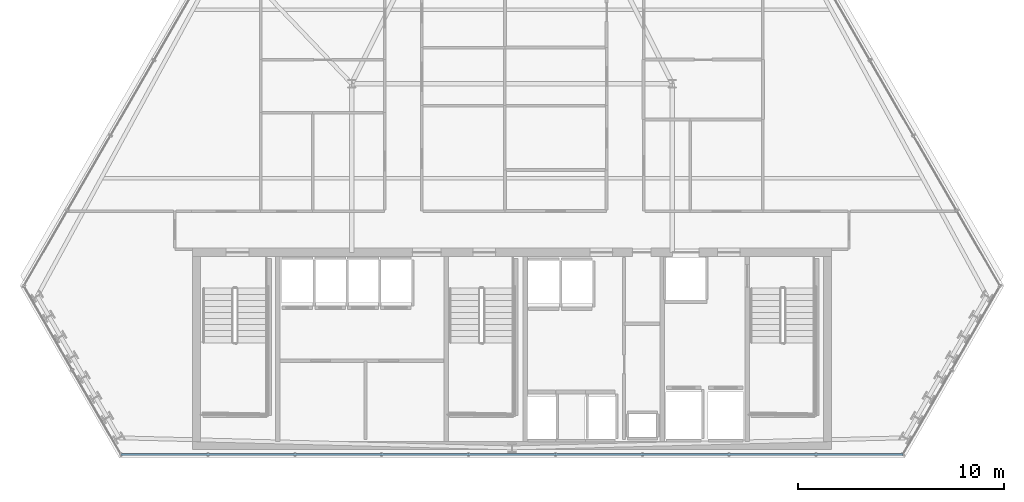
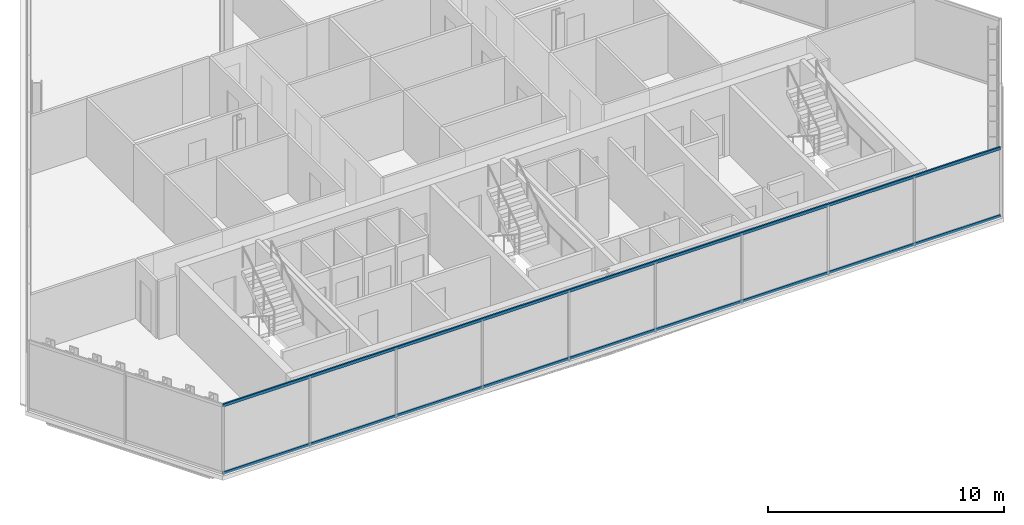
# One storey, part 7 of 33: 2 members, 1 element without a shape of its own.
"""IFC4 building model written with IfcOpenShell, lengths in metres."""

from ifc_helpers import new_model, si_unit, direction, frame, origin, origin_2d, place, context, subcontext, project, spatial, hollow_rectangle, extrude, material, layer, layer_set, material_profile, profile_set, type_object, element, aggregate, save


model = new_model("IFC4")

# Units and contexts
model_context = context("Model", 3, precision=1e-05, world=origin(), true_north=direction((0.0, 1.0)))
body_context = subcontext(model_context, "Body", "Model", "MODEL_VIEW")
ifc_project = project(units=[si_unit("LENGTHUNIT", "METRE"), si_unit("AREAUNIT", "SQUARE_METRE"), si_unit("VOLUMEUNIT", "CUBIC_METRE"), si_unit("PLANEANGLEUNIT", "RADIAN"), si_unit("MASSUNIT", "GRAM", prefix="KILO")], contexts=[model_context])

# Site, building, storey
site_placement = place(None, origin())
site = spatial("IfcSite", under=ifc_project, at=site_placement, CompositionType="ELEMENT")
building_placement = place(site_placement, origin())
building = spatial("IfcBuilding", under=site, at=building_placement, Name="Ndaravel Arena Tower", CompositionType="ELEMENT")
storey_placement = place(building_placement, frame((0.0, 0.0, 184.0)))
storey = spatial("IfcBuildingStorey", under=building, at=storey_placement, Name="L44", CompositionType="ELEMENT", Elevation=184.0)

# Curtain wall, members
ifc_material_1 = material(Name="Aluminium", Category="aluminium")
ifc_layer = layer(ifc_material_1, 0.179931640625)
ifc_layer_set = layer_set([ifc_layer], Name="Aluminium")
curtain_wall_type = type_object("IfcCurtainWallType", Name="CW-SYS-03", PredefinedType="NOTDEFINED", material=ifc_layer_set)
curtain_wall_placement = place(storey_placement, origin())
curtain_wall = element("IfcCurtainWall", 1, at=curtain_wall_placement, inside=storey, type_object=curtain_wall_type, Name="L44 Faceted Crystal Curtain Wall CW-L44-E01", PredefinedType="NOTDEFINED")
ifc_material_2 = material(Name="Aluminium", Category="aluminium")
ifc_material_profile = material_profile(ifc_material_2, hollow_rectangle(XDim=0.074951171875, YDim=0.14990234375, WallThickness=0.00390625, at=origin_2d()), Name="CW TRANSOM 75x150x4")
ifc_profile_set = profile_set([ifc_material_profile], Name="Aluminium")
member_type = type_object("IfcMemberType", Name="MEM-CW-TRN150", PredefinedType="USERDEFINED", material=ifc_profile_set)
member_1_placement = place(storey_placement, frame((22.986083984375, 5.159912109375, 0.0400390625), z_axis=(1.0, 0.0, 0.0), x_axis=(0.0, 1.0, 0.0)))
member_1 = element("IfcMember", 2, at=member_1_placement, type_object=member_type, Name="CW-L44-E01 Transom 01", ObjectType="TRANSOM", PredefinedType="USERDEFINED", context=body_context, shape_type="SweptSolid", body=[
    extrude(hollow_rectangle(XDim=0.074951171875, YDim=0.14990234375, WallThickness=0.00390625, at=origin_2d()), origin(), (0.0, 0.0, 1.0), 38.02783203125),
])
member_2_placement = place(storey_placement, frame((22.986083984375, 5.159912109375, 3.5400390625), z_axis=(1.0, 0.0, 0.0), x_axis=(0.0, 1.0, 0.0)))
member_2 = element("IfcMember", 3, at=member_2_placement, type_object=member_type, Name="CW-L44-E01 Transom 02", ObjectType="TRANSOM", PredefinedType="USERDEFINED", context=body_context, shape_type="SweptSolid", body=[
    extrude(hollow_rectangle(XDim=0.074951171875, YDim=0.14990234375, WallThickness=0.00390625, at=origin_2d()), origin(), (0.0, 0.0, 1.0), 38.02783203125),
])
aggregate(curtain_wall, [member_1, member_2])

save(model, "model.ifc")
